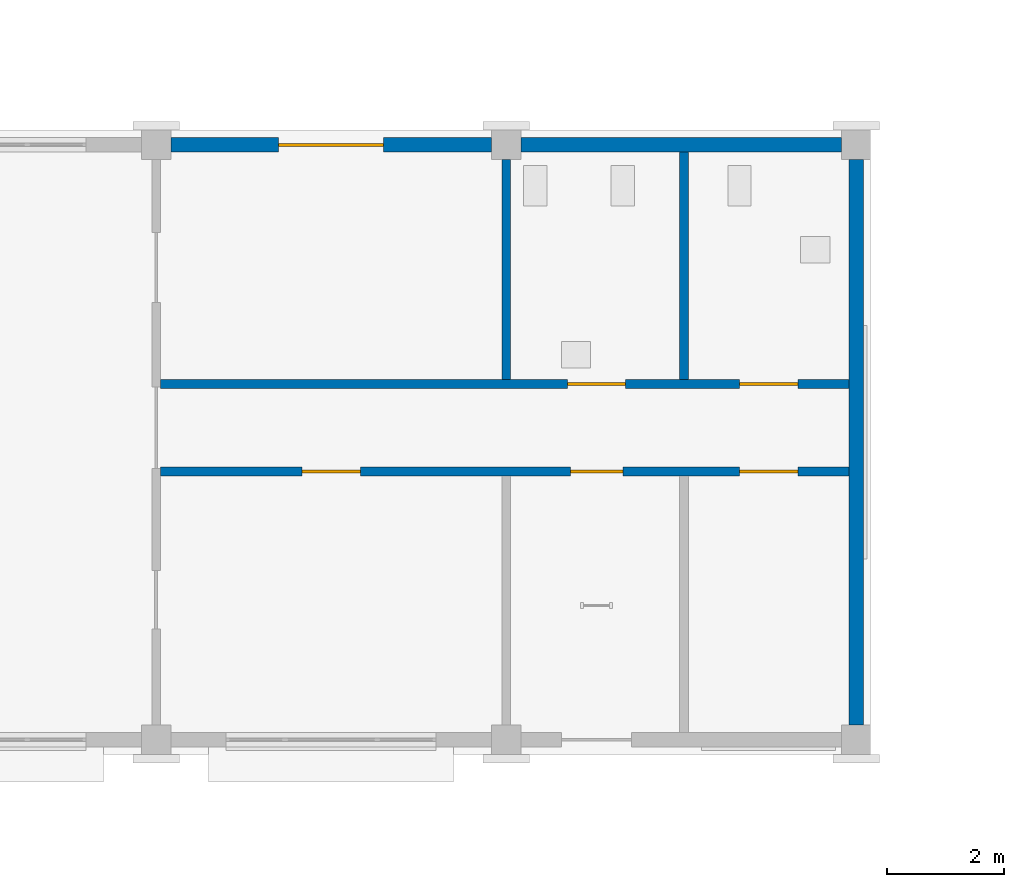
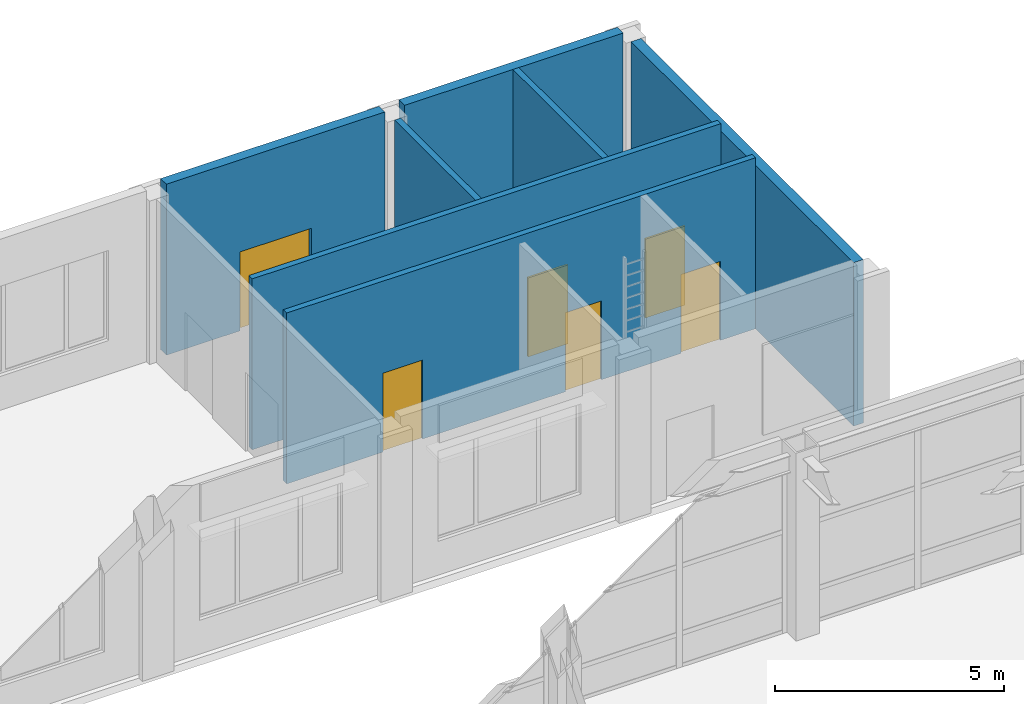
# One storey, part 53 of 77: 7 walls, 6 doors, 6 openings.
"""IFC4 building model written with IfcOpenShell, lengths in metres."""

from ifc_helpers import new_model, si_unit, direction, frame, frame_2d, origin, place, context, subcontext, project, spatial, rectangle, extrude, material, layer, layer_set, type_object, element, fill, save


model = new_model("IFC4")

# Units and contexts
model_context = context("Model", 3, precision=1e-05, world=origin(), true_north=direction((0.0, 1.0)))
body_context = subcontext(model_context, "Body", "Model", "MODEL_VIEW")
ifc_project = project(units=[si_unit("LENGTHUNIT", "METRE"), si_unit("AREAUNIT", "SQUARE_METRE"), si_unit("VOLUMEUNIT", "CUBIC_METRE"), si_unit("PLANEANGLEUNIT", "RADIAN"), si_unit("MASSUNIT", "GRAM", prefix="KILO")], contexts=[model_context])

# Site, building, storey
site_placement = place(None, origin())
site = spatial("IfcSite", under=ifc_project, at=site_placement, CompositionType="ELEMENT")
building_placement = place(site_placement, origin())
building = spatial("IfcBuilding", under=site, at=building_placement, Name="Aravalli Gate Trade Fair Centre", CompositionType="ELEMENT")
storey_placement = place(building_placement, origin())
storey = spatial("IfcBuildingStorey", under=building, at=storey_placement, Name="L00", CompositionType="ELEMENT", Elevation=0.0)

# Wall
ifc_material_1 = material(Name="Gypsum board on metal studs")
ifc_layer_1 = layer(ifc_material_1, 0.14990234375)
ifc_layer_set_1 = layer_set([ifc_layer_1], Name="Gypsum board on metal studs")
wall_type_1 = type_object("IfcWallType", Name="Wing partition 150", PredefinedType="PARTITIONING", material=ifc_layer_set_1)
wall_1_placement = place(storey_placement, frame((198.050048828125, 145.074951171875, 0.0), z_axis=(0.0, 0.0, 1.0), x_axis=(0.0, 1.0, 0.0)))
element("IfcWall", 1, at=wall_1_placement, inside=storey, type_object=wall_type_1, Name="Partition wa", PredefinedType="PARTITIONING", context=body_context, shape_type="SweptSolid", body=[
    extrude(rectangle(XDim=3.900146484375, YDim=0.14990234375, at=frame_2d((1.9501953125, 0.0))), origin(), (0.0, 0.0, 1.0), 4.550048828125),
])

# Wall, openings, doors
ifc_material_2 = material(Name="Blockwork with fire-rated lining", Category="masonry")
ifc_layer_2 = layer(ifc_material_2, 0.14990234375)
ifc_layer_set_2 = layer_set([ifc_layer_2], Name="Blockwork with fire-rated lining")
wall_type_2 = type_object("IfcWallType", Name="Wing partition 150 (EI 60, corridor wall)", PredefinedType="PARTITIONING", material=ifc_layer_set_2)
wall_2_placement = place(storey_placement, frame((189.074951171875, 143.5, 0.0), z_axis=(0.0, 0.0, 1.0), x_axis=(1.0, 0.0, 0.0)))
wall_2 = element("IfcWall", 2, at=wall_2_placement, inside=storey, type_object=wall_type_2, Name="Partition cs", PredefinedType="PARTITIONING", context=body_context, shape_type="SweptSolid", body=[
    extrude(rectangle(XDim=11.800048828125, YDim=0.14990234375, at=frame_2d((5.89990234375, 0.0))), origin(), (0.0, 0.0, 1.0), 4.550048828125),
])
opening_1_placement = place(wall_2_placement, frame((2.425048828125, 0.0, 0.0)))
opening_1 = element("IfcOpeningElement", 3, at=opening_1_placement, cuts=wall_2, Name="Opening T-L00-213", PredefinedType="OPENING", context=body_context, shape_type="SweptSolid", body=[
    extrude(rectangle(XDim=1.0, YDim=2.10009765625, at=frame_2d((0.5, 1.050048828125))), frame((0.0, 0.0849609375, 0.0), z_axis=(0.0, -1.0, 0.0), x_axis=(1.0, 0.0, 0.0)), (0.0, 0.0, 1.0), 0.169921875),
])
opening_2_placement = place(wall_2_placement, frame((7.02490234375, 0.0, 0.0)))
opening_2 = element("IfcOpeningElement", 4, at=opening_2_placement, cuts=wall_2, Name="Opening T-L00-214", PredefinedType="OPENING", context=body_context, shape_type="SweptSolid", body=[
    extrude(rectangle(XDim=0.89990234375, YDim=2.10009765625, at=frame_2d((0.449951171875, 1.050048828125))), frame((0.0, 0.0849609375, 0.0), z_axis=(0.0, -1.0, 0.0), x_axis=(1.0, 0.0, 0.0)), (0.0, 0.0, 1.0), 0.169921875),
])
opening_3_placement = place(wall_2_placement, frame((9.925048828125, 0.0, 0.0)))
opening_3 = element("IfcOpeningElement", 5, at=opening_3_placement, cuts=wall_2, Name="Opening T-L00-215", PredefinedType="OPENING", context=body_context, shape_type="SweptSolid", body=[
    extrude(rectangle(XDim=1.0, YDim=2.10009765625, at=frame_2d((0.5, 1.050048828125))), frame((0.0, 0.0849609375, 0.0), z_axis=(0.0, -1.0, 0.0), x_axis=(1.0, 0.0, 0.0)), (0.0, 0.0, 1.0), 0.169921875),
])
ifc_material_3 = material(Name="Steel, fire rated", Category="steel")
door_type_1 = type_object("IfcDoorType", Name="Wing fire door FD120 1000 x 2100", OperationType="SINGLE_SWING_LEFT", PredefinedType="DOOR", material=ifc_material_3)
door_1_placement = place(opening_3_placement, frame((1.0, 0.0, 0.0), z_axis=(0.0, 0.0, 1.0), x_axis=(-1.0, 0.0, 0.0)))
door_1 = element("IfcDoor", 6, at=door_1_placement, inside=storey, type_object=door_type_1, Name="Plant door T-L00-215", OperationType="SINGLE_SWING_LEFT", OverallHeight=2.10009765625, OverallWidth=1.0, PredefinedType="DOOR", context=body_context, shape_type="SweptSolid", body=[
    extrude(rectangle(XDim=1.0, YDim=2.10009765625, at=frame_2d((0.5, 1.050048828125))), frame((0.0, 0.02490234375, 0.0), z_axis=(0.0, -1.0, 0.0), x_axis=(1.0, 0.0, 0.0)), (0.0, 0.0, 1.0), 0.050048828125),
])
fill(opening_3, door_1)
door_type_2 = type_object("IfcDoorType", Name="Wing fire door FD60 1000 x 2100", OperationType="SINGLE_SWING_LEFT", PredefinedType="DOOR", material=ifc_material_3)
door_2_placement = place(opening_1_placement, frame((1.0, 0.0, 0.0), z_axis=(0.0, 0.0, 1.0), x_axis=(-1.0, 0.0, 0.0)))
door_2 = element("IfcDoor", 7, at=door_2_placement, inside=storey, type_object=door_type_2, Name="Kitchen service door T-L00-213", OperationType="SINGLE_SWING_LEFT", OverallHeight=2.10009765625, OverallWidth=1.0, PredefinedType="DOOR", context=body_context, shape_type="SweptSolid", body=[
    extrude(rectangle(XDim=1.0, YDim=2.10009765625, at=frame_2d((0.5, 1.050048828125))), frame((0.0, 0.02490234375, 0.0), z_axis=(0.0, -1.0, 0.0), x_axis=(1.0, 0.0, 0.0)), (0.0, 0.0, 1.0), 0.050048828125),
])
fill(opening_1, door_2)
door_type_3 = type_object("IfcDoorType", Name="Wing fire door FD60 900 x 2100", OperationType="SINGLE_SWING_LEFT", PredefinedType="DOOR", material=ifc_material_3)
door_3_placement = place(opening_2_placement, frame((0.89990234375, 0.0, 0.0), z_axis=(0.0, 0.0, 1.0), x_axis=(-1.0, 0.0, 0.0)))
door_3 = element("IfcDoor", 8, at=door_3_placement, inside=storey, type_object=door_type_3, Name="Store door T-L00-214", OperationType="SINGLE_SWING_RIGHT", OverallHeight=2.10009765625, OverallWidth=0.89990234375, PredefinedType="DOOR", context=body_context, shape_type="SweptSolid", body=[
    extrude(rectangle(XDim=0.89990234375, YDim=2.10009765625, at=frame_2d((0.449951171875, 1.050048828125))), frame((0.0, 0.02490234375, 0.0), z_axis=(0.0, -1.0, 0.0), x_axis=(1.0, 0.0, 0.0)), (0.0, 0.0, 1.0), 0.050048828125),
])
fill(opening_2, door_3)

wall_3_placement = place(storey_placement, frame((189.074951171875, 145.0, 0.0), z_axis=(0.0, 0.0, 1.0), x_axis=(1.0, 0.0, 0.0)))
wall_3 = element("IfcWall", 9, at=wall_3_placement, inside=storey, type_object=wall_type_2, Name="Partition cn", PredefinedType="PARTITIONING", context=body_context, shape_type="SweptSolid", body=[
    extrude(rectangle(XDim=11.800048828125, YDim=0.14990234375, at=frame_2d((5.89990234375, 0.0))), origin(), (0.0, 0.0, 1.0), 4.550048828125),
])
opening_4_placement = place(wall_3_placement, frame((6.97509765625, 0.0, 0.0)))
opening_4 = element("IfcOpeningElement", 10, at=opening_4_placement, cuts=wall_3, Name="Opening T-L00-216", PredefinedType="OPENING", context=body_context, shape_type="SweptSolid", body=[
    extrude(rectangle(XDim=1.0, YDim=2.10009765625, at=frame_2d((0.5, 1.050048828125))), frame((0.0, 0.0849609375, 0.0), z_axis=(0.0, -1.0, 0.0), x_axis=(1.0, 0.0, 0.0)), (0.0, 0.0, 1.0), 0.169921875),
])
opening_5_placement = place(wall_3_placement, frame((9.925048828125, 0.0, 0.0)))
opening_5 = element("IfcOpeningElement", 11, at=opening_5_placement, cuts=wall_3, Name="Opening T-L00-217", PredefinedType="OPENING", context=body_context, shape_type="SweptSolid", body=[
    extrude(rectangle(XDim=1.0, YDim=2.10009765625, at=frame_2d((0.5, 1.050048828125))), frame((0.0, 0.0849609375, 0.0), z_axis=(0.0, -1.0, 0.0), x_axis=(1.0, 0.0, 0.0)), (0.0, 0.0, 1.0), 0.169921875),
])
ifc_material_4 = material(Name="Timber and steel", Category="steel")
door_type_4 = type_object("IfcDoorType", Name="Wing door 1000 x 2100", OperationType="SINGLE_SWING_LEFT", PredefinedType="DOOR", material=ifc_material_4)
door_4_placement = place(opening_4_placement, origin())
door_4 = element("IfcDoor", 12, at=door_4_placement, inside=storey, type_object=door_type_4, Name="Visitor WC door T-L00-216", OperationType="SINGLE_SWING_LEFT", OverallHeight=2.10009765625, OverallWidth=1.0, PredefinedType="DOOR", context=body_context, shape_type="SweptSolid", body=[
    extrude(rectangle(XDim=1.0, YDim=2.10009765625, at=frame_2d((0.5, 1.050048828125))), frame((0.0, 0.02490234375, 0.0), z_axis=(0.0, -1.0, 0.0), x_axis=(1.0, 0.0, 0.0)), (0.0, 0.0, 1.0), 0.050048828125),
])
fill(opening_4, door_4)
door_5_placement = place(opening_5_placement, origin())
door_5 = element("IfcDoor", 13, at=door_5_placement, inside=storey, type_object=door_type_4, Name="Accessible WC door T-L00-217", OperationType="SINGLE_SWING_RIGHT", OverallHeight=2.10009765625, OverallWidth=1.0, PredefinedType="DOOR", context=body_context, shape_type="SweptSolid", body=[
    extrude(rectangle(XDim=1.0, YDim=2.10009765625, at=frame_2d((0.5, 1.050048828125))), frame((0.0, 0.02490234375, 0.0), z_axis=(0.0, -1.0, 0.0), x_axis=(1.0, 0.0, 0.0)), (0.0, 0.0, 1.0), 0.050048828125),
])
fill(opening_5, door_5)

# Wall
wall_4_placement = place(storey_placement, frame((195.0, 145.074951171875, 0.0), z_axis=(0.0, 0.0, 1.0), x_axis=(0.0, 1.0, 0.0)))
element("IfcWall", 14, at=wall_4_placement, inside=storey, type_object=wall_type_2, Name="Partition iw", PredefinedType="PARTITIONING", context=body_context, shape_type="SweptSolid", body=[
    extrude(rectangle(XDim=3.775146484375, YDim=0.14990234375, at=frame_2d((1.8876953125, 0.0))), origin(), (0.0, 0.0, 1.0), 4.35009765625),
])

# Wall, opening, door
ifc_material_5 = material(Name="Concrete block masonry", Category="masonry")
ifc_layer_3 = layer(ifc_material_5, 0.2099609375, Name="Block masonry")
ifc_material_6 = material(Name="Terracotta cladding", Category="masonry")
ifc_layer_4 = layer(ifc_material_6, 0.0400390625, Name="Terracotta cladding")
ifc_layer_set_3 = layer_set([ifc_layer_3, ifc_layer_4], Name="Wing terracotta clad infill wall 250")
wall_type_3 = type_object("IfcWallType", Name="Wing terracotta clad infill wall 250", PredefinedType="SOLIDWALL", material=ifc_layer_set_3)
wall_5_placement = place(storey_placement, frame((189.25, 149.10009765625, 0.0), z_axis=(0.0, 0.0, 1.0), x_axis=(1.0, 0.0, 0.0)))
wall_5 = element("IfcWall", 15, at=wall_5_placement, inside=storey, type_object=wall_type_3, Name="Pavilion wall N5", PredefinedType="SOLIDWALL", context=body_context, shape_type="SweptSolid", body=[
    extrude(rectangle(XDim=5.5, YDim=0.25, at=frame_2d((2.75, 0.0))), origin(), (0.0, 0.0, 1.0), 4.550048828125),
])
opening_6_placement = place(wall_5_placement, frame((1.85009765625, 0.0, 0.0)))
opening_6 = element("IfcOpeningElement", 16, at=opening_6_placement, cuts=wall_5, Name="Opening T-L00-202", PredefinedType="OPENING", context=body_context, shape_type="SweptSolid", body=[
    extrude(rectangle(XDim=1.800048828125, YDim=2.10009765625, at=frame_2d((0.89990234375, 1.050048828125))), frame((0.0, 0.135009765625, 0.0), z_axis=(0.0, -1.0, 0.0), x_axis=(1.0, 0.0, 0.0)), (0.0, 0.0, 1.0), 0.27001953125),
])
ifc_material_7 = material(Name="Aluminium and glass", Category="aluminium")
door_type_5 = type_object("IfcDoorType", Name="Wing glazed entrance door 1800 x 2100", OperationType="DOUBLE_DOOR_SINGLE_SWING", PredefinedType="DOOR", material=ifc_material_7)
door_6_placement = place(opening_6_placement, origin())
door_6 = element("IfcDoor", 17, at=door_6_placement, inside=storey, type_object=door_type_5, Name="Information entrance T-L00-202", OperationType="DOUBLE_DOOR_SINGLE_SWING", OverallHeight=2.10009765625, OverallWidth=1.800048828125, PredefinedType="DOOR", context=body_context, shape_type="SweptSolid", body=[
    extrude(rectangle(XDim=1.800048828125, YDim=2.10009765625, at=frame_2d((0.89990234375, 1.050048828125))), frame((0.0, 0.02490234375, 0.0), z_axis=(0.0, -1.0, 0.0), x_axis=(1.0, 0.0, 0.0)), (0.0, 0.0, 1.0), 0.050048828125),
])
fill(opening_6, door_6)

# Walls
wall_6_placement = place(storey_placement, frame((195.25, 149.10009765625, 0.0), z_axis=(0.0, 0.0, 1.0), x_axis=(1.0, 0.0, 0.0)))
element("IfcWall", 18, at=wall_6_placement, inside=storey, type_object=wall_type_3, Name="Pavilion wall N6", PredefinedType="SOLIDWALL", context=body_context, shape_type="SweptSolid", body=[
    extrude(rectangle(XDim=5.5, YDim=0.25, at=frame_2d((2.75, 0.0))), origin(), (0.0, 0.0, 1.0), 4.550048828125),
])
wall_7_placement = place(storey_placement, frame((201.0, 139.14990234375, 0.0), z_axis=(0.0, 0.0, 1.0), x_axis=(0.0, 1.0, 0.0)))
element("IfcWall", 19, at=wall_7_placement, inside=storey, type_object=wall_type_3, Name="Pavilion wall E", PredefinedType="SOLIDWALL", context=body_context, shape_type="SweptSolid", body=[
    extrude(rectangle(XDim=9.7001953125, YDim=0.25, at=frame_2d((4.85009765625, 0.0))), origin(), (0.0, 0.0, 1.0), 4.35009765625),
])

save(model, "model.ifc")
